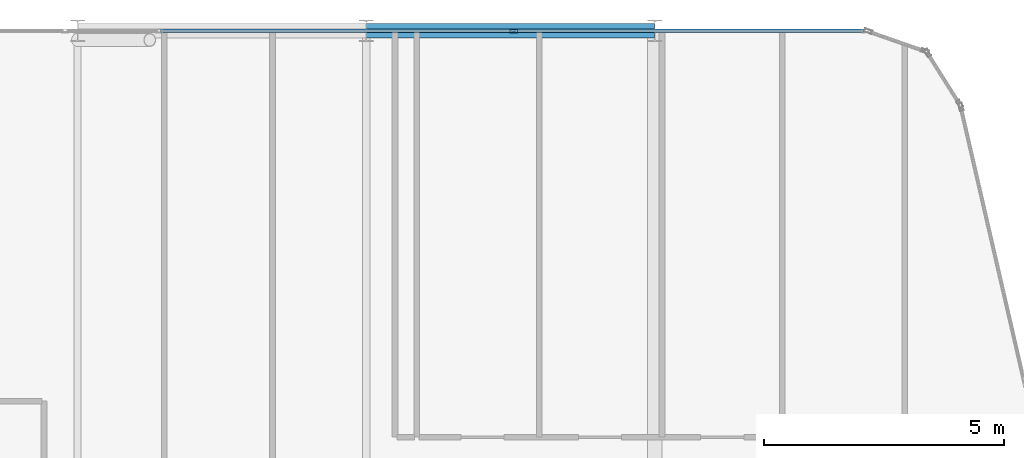
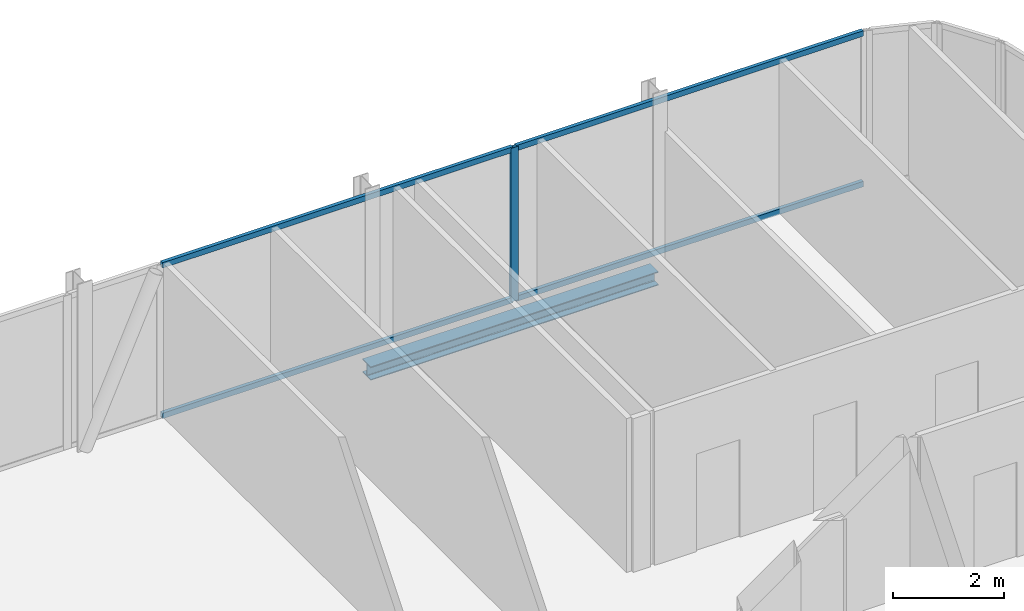
# One storey, part 19 of 29: 5 members, 1 beam, 1 element without a shape of its own.
"""IFC4 building model written with IfcOpenShell, lengths in metres."""

from ifc_helpers import new_model, si_unit, direction, frame, origin, origin_2d, place, context, subcontext, project, spatial, hollow_rectangle, i_section, extrude, material, layer, layer_set, material_profile, profile_set, type_object, element, aggregate, save


model = new_model("IFC4")

# Units and contexts
model_context = context("Model", 3, precision=1e-05, world=origin(), true_north=direction((0.0, 1.0)))
body_context = subcontext(model_context, "Body", "Model", "MODEL_VIEW")
ifc_project = project(units=[si_unit("LENGTHUNIT", "METRE"), si_unit("AREAUNIT", "SQUARE_METRE"), si_unit("VOLUMEUNIT", "CUBIC_METRE"), si_unit("PLANEANGLEUNIT", "RADIAN"), si_unit("MASSUNIT", "GRAM", prefix="KILO")], contexts=[model_context])

# Site, building, storey
site_placement = place(None, origin())
site = spatial("IfcSite", under=ifc_project, at=site_placement, CompositionType="ELEMENT")
building_placement = place(site_placement, origin())
building = spatial("IfcBuilding", under=site, at=building_placement, Name="Keshet Zoharim Tower", CompositionType="ELEMENT")
storey_placement = place(building_placement, frame((0.0, 0.0, 230.199951171875)))
storey = spatial("IfcBuildingStorey", under=building, at=storey_placement, Name="L57", CompositionType="ELEMENT", Elevation=230.199951171875)

# Beam
ifc_material_1 = material(Name="Steel S355", Category="steel")
ifc_material_profile_1 = material_profile(ifc_material_1, i_section(OverallWidth=0.300048828125, OverallDepth=0.300048828125, WebThickness=0.010986328125, FlangeThickness=0.01904296875, FilletRadius=0.027099609375, at=origin_2d()), Name="HEB300")
ifc_profile_set_1 = profile_set([ifc_material_profile_1], Name="Steel S355")
beam_type = type_object("IfcBeamType", Name="BM-PRI-HB300", PredefinedType="BEAM", material=ifc_profile_set_1)
beam_placement = place(storey_placement, frame((27.0, 53.89990234375, -0.4599609375), z_axis=(1.0, 0.0, 0.0), x_axis=(0.0, 1.0, 0.0)))
element("IfcBeam", 1, at=beam_placement, inside=storey, type_object=beam_type, Name="L57 Primary Girder X-020", PredefinedType="BEAM", context=body_context, shape_type="SweptSolid", body=[
    extrude(i_section(OverallWidth=0.300048828125, OverallDepth=0.300048828125, WebThickness=0.010986328125, FlangeThickness=0.01904296875, FilletRadius=0.027099609375, at=origin_2d()), origin(), (0.0, 0.0, 1.0), 6.0),
])

# Curtain wall, members
ifc_material_2 = material(Name="Aluminium 6063-T6", Category="aluminium")
ifc_layer = layer(ifc_material_2, 0.139892578125)
ifc_layer_set = layer_set([ifc_layer], Name="Aluminium 6063-T6")
curtain_wall_type = type_object("IfcCurtainWallType", Name="CW-SYS-05", PredefinedType="NOTDEFINED", material=ifc_layer_set)
curtain_wall_placement = place(storey_placement, origin())
curtain_wall = element("IfcCurtainWall", 2, at=curtain_wall_placement, inside=storey, type_object=curtain_wall_type, Name="L57 Unitised Curtain Wall 16 Part 3", PredefinedType="NOTDEFINED")
ifc_material_profile_2 = material_profile(ifc_material_2, hollow_rectangle(XDim=0.074951171875, YDim=0.159912109375, WallThickness=0.00390625, at=origin_2d()), Name="MUL-75x160")
ifc_profile_set_2 = profile_set([ifc_material_profile_2], Name="Aluminium 6063-T6")
member_type_1 = type_object("IfcMemberType", Name="CWM-M15", PredefinedType="MULLION", material=ifc_profile_set_2)
member_1_placement = place(storey_placement, frame((30.06689453125, 53.89990234375, 0.0), z_axis=(0.0, 0.0, 1.0), x_axis=(0.0, 1.0, 0.0)))
member_1 = element("IfcMember", 3, at=member_1_placement, type_object=member_type_1, Name="CW-05 mullion 2", PredefinedType="MULLION", context=body_context, shape_type="SweptSolid", body=[
    extrude(hollow_rectangle(XDim=0.074951171875, YDim=0.159912109375, WallThickness=0.00390625, at=origin_2d()), origin(), (0.0, 0.0, 1.0), 3.39013671875),
])
ifc_material_profile_3 = material_profile(ifc_material_2, hollow_rectangle(XDim=0.074951171875, YDim=0.1201171875, WallThickness=0.00390625, at=origin_2d()), Name="TRN-75x120")
ifc_profile_set_3 = profile_set([ifc_material_profile_3], Name="Aluminium 6063-T6")
member_type_2 = type_object("IfcMemberType", Name="CWT-T12", PredefinedType="USERDEFINED", material=ifc_profile_set_3)
member_2_placement = place(storey_placement, frame((22.724853515625, 53.89990234375, 0.03515625), z_axis=(1.0, 0.0, 0.0), x_axis=(0.0, 1.0, 0.0)))
member_2 = element("IfcMember", 4, at=member_2_placement, type_object=member_type_2, Name="CW-05 transom 1.1", ObjectType="TRANSOM", PredefinedType="USERDEFINED", context=body_context, shape_type="SweptSolid", body=[
    extrude(hollow_rectangle(XDim=0.074951171875, YDim=0.1201171875, WallThickness=0.00390625, at=origin_2d()), origin(), (0.0, 0.0, 1.0), 7.30712890625),
])
member_3_placement = place(storey_placement, frame((22.724853515625, 53.89990234375, 3.35498046875), z_axis=(1.0, 0.0, 0.0), x_axis=(0.0, 1.0, 0.0)))
member_3 = element("IfcMember", 5, at=member_3_placement, type_object=member_type_2, Name="CW-05 transom 1.2", ObjectType="TRANSOM", PredefinedType="USERDEFINED", context=body_context, shape_type="SweptSolid", body=[
    extrude(hollow_rectangle(XDim=0.074951171875, YDim=0.1201171875, WallThickness=0.00390625, at=origin_2d()), origin(), (0.0, 0.0, 1.0), 7.30712890625),
])
member_4_placement = place(storey_placement, frame((30.101806640625, 53.89990234375, 0.03515625), z_axis=(1.0, 0.0, 0.0), x_axis=(0.0, 1.0, 0.0)))
member_4 = element("IfcMember", 6, at=member_4_placement, type_object=member_type_2, Name="CW-05 transom 2.1", ObjectType="TRANSOM", PredefinedType="USERDEFINED", context=body_context, shape_type="SweptSolid", body=[
    extrude(hollow_rectangle(XDim=0.074951171875, YDim=0.1201171875, WallThickness=0.00390625, at=origin_2d()), origin(), (0.0, 0.0, 1.0), 7.2373046875),
])
member_5_placement = place(storey_placement, frame((30.101806640625, 53.89990234375, 3.35498046875), z_axis=(1.0, 0.0, 0.0), x_axis=(0.0, 1.0, 0.0)))
member_5 = element("IfcMember", 7, at=member_5_placement, type_object=member_type_2, Name="CW-05 transom 2.2", ObjectType="TRANSOM", PredefinedType="USERDEFINED", context=body_context, shape_type="SweptSolid", body=[
    extrude(hollow_rectangle(XDim=0.074951171875, YDim=0.1201171875, WallThickness=0.00390625, at=origin_2d()), origin(), (0.0, 0.0, 1.0), 7.2373046875),
])
aggregate(curtain_wall, [member_1, member_2, member_3, member_4, member_5])

save(model, "model.ifc")
